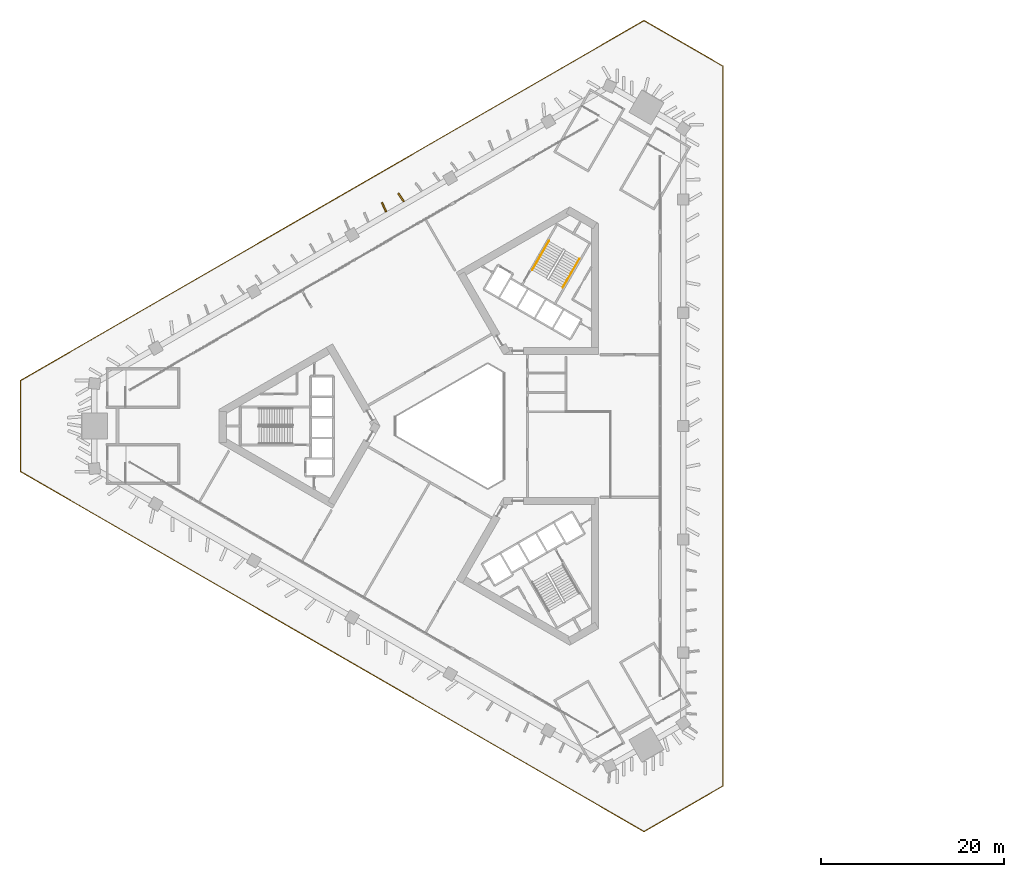
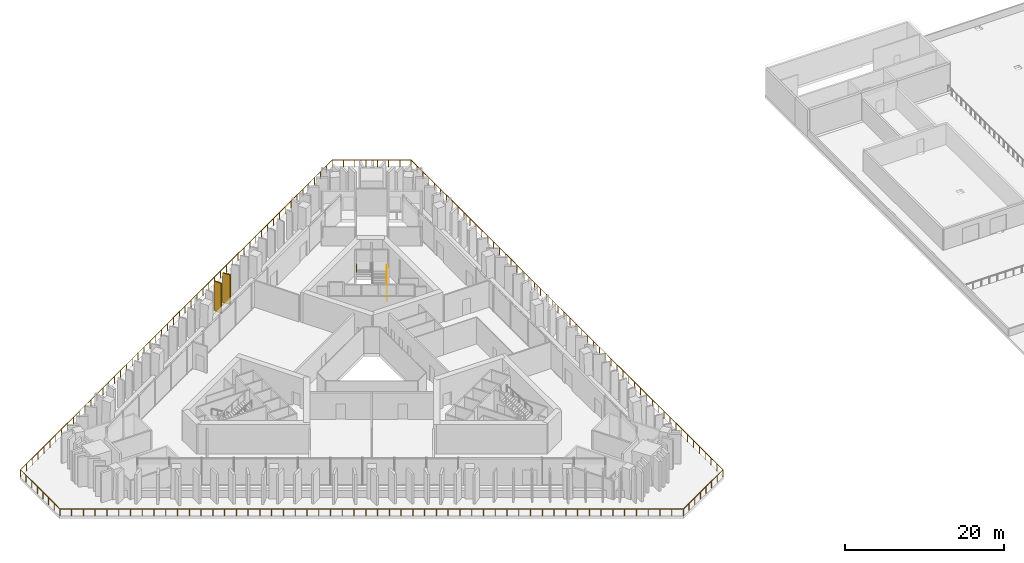
# One storey, part 29 of 31: 3 railings, 2 shading devices.
"""IFC4 building model written with IfcOpenShell, lengths in metres."""

from ifc_helpers import new_model, si_unit, direction, frame, frame_2d, origin, origin_2d, place, context, subcontext, project, spatial, rectangle, circle, extrude, material, layer, layer_set, type_object, element, save


model = new_model("IFC4")

# Units and contexts
model_context = context("Model", 3, precision=1e-05, world=origin(), true_north=direction((0.0, 1.0)))
body_context = subcontext(model_context, "Body", "Model", "MODEL_VIEW")
ifc_project = project(units=[si_unit("LENGTHUNIT", "METRE"), si_unit("AREAUNIT", "SQUARE_METRE"), si_unit("VOLUMEUNIT", "CUBIC_METRE"), si_unit("PLANEANGLEUNIT", "RADIAN"), si_unit("MASSUNIT", "GRAM", prefix="KILO")], contexts=[model_context])

# Site, building, storey
site_placement = place(None, origin())
site = spatial("IfcSite", under=ifc_project, at=site_placement, CompositionType="ELEMENT")
building_placement = place(site_placement, origin())
building = spatial("IfcBuilding", under=site, at=building_placement, Name="Jabali Bay Hotel Tower and Convention Centre", CompositionType="ELEMENT")
storey_placement = place(building_placement, frame((0.0, 0.0, 25.39990234375)))
storey = spatial("IfcBuildingStorey", under=building, at=storey_placement, Name="L04", CompositionType="ELEMENT", Elevation=25.39990234375)

# Railing
ifc_material_1 = material(Name="Steel Q355B", Category="steel")
railing_type_1 = type_object("IfcRailingType", Name="Open-edge guard 1100", PredefinedType="GUARDRAIL", material=ifc_material_1)
railing_1_placement = place(storey_placement, frame((103.449951171875, 40.66552734375, 0.0)))
element("IfcRailing", 1, at=railing_1_placement, inside=storey, type_object=railing_type_1, Name="Terrace guard", PredefinedType="GUARDRAIL", context=body_context, shape_type="SweptSolid", body=[
    extrude(circle(Radius=0.02490234375, at=origin_2d()), frame((0.0, 0.0, 1.0751953125), z_axis=(0.0, 1.0, 0.0), x_axis=(-1.0, 0.0, 0.0)), (0.0, 0.0, 1.0), 78.6689453125),
    extrude(circle(Radius=0.02490234375, at=origin_2d()), frame((0.0, 78.6689453125, 1.0751953125), z_axis=(-0.866019150857, 0.500010830231, 0.0), x_axis=(-0.500010830231, -0.866019150857, 0.0)), (0.0, 0.0, 1.0), 9.942138671875),
    extrude(circle(Radius=0.02490234375, at=origin_2d()), frame((-8.610107421875, 83.64013671875, 1.0751953125), z_axis=(-0.866026463734, -0.499998164109, 0.0), x_axis=(0.499998164109, -0.866026463734, 0.0)), (0.0, 0.0, 1.0), 78.669189453125),
    extrude(circle(Radius=0.02490234375, at=origin_2d()), frame((-76.73974609375, 44.3056640625, 1.0751953125), z_axis=(0.0, -1.0, 0.0), x_axis=(1.0, 0.0, 0.0)), (0.0, 0.0, 1.0), 9.9423828125),
    extrude(circle(Radius=0.02490234375, at=origin_2d()), frame((-76.73974609375, 34.36328125, 1.0751953125), z_axis=(0.866026463734, -0.499998164109, 0.0), x_axis=(0.499998164109, 0.866026463734, 0.0)), (0.0, 0.0, 1.0), 78.669189453125),
    extrude(circle(Radius=0.02490234375, at=origin_2d()), frame((-8.610107421875, -4.97119140625, 1.0751953125), z_axis=(0.866019150857, 0.500010830231, 0.0), x_axis=(-0.500010830231, 0.866019150857, 0.0)), (0.0, 0.0, 1.0), 9.942138671875),
    extrude(circle(Radius=0.02490234375, at=origin_2d()), origin(), (0.0, 0.0, 1.0), 1.050048828125),
    extrude(circle(Radius=0.02490234375, at=origin_2d()), frame((0.0, 1.484375, 0.0)), (0.0, 0.0, 1.0), 1.050048828125),
    extrude(circle(Radius=0.02490234375, at=origin_2d()), frame((0.0, 2.96875, 0.0)), (0.0, 0.0, 1.0), 1.050048828125),
    extrude(circle(Radius=0.02490234375, at=origin_2d()), frame((0.0, 4.452880859375, 0.0)), (0.0, 0.0, 1.0), 1.050048828125),
    extrude(circle(Radius=0.02490234375, at=origin_2d()), frame((0.0, 5.937255859375, 0.0)), (0.0, 0.0, 1.0), 1.050048828125),
    extrude(circle(Radius=0.02490234375, at=origin_2d()), frame((0.0, 7.421630859375, 0.0)), (0.0, 0.0, 1.0), 1.050048828125),
    extrude(circle(Radius=0.02490234375, at=origin_2d()), frame((0.0, 8.906005859375, 0.0)), (0.0, 0.0, 1.0), 1.050048828125),
    extrude(circle(Radius=0.02490234375, at=origin_2d()), frame((0.0, 10.39013671875, 0.0)), (0.0, 0.0, 1.0), 1.050048828125),
    extrude(circle(Radius=0.02490234375, at=origin_2d()), frame((0.0, 11.87451171875, 0.0)), (0.0, 0.0, 1.0), 1.050048828125),
    extrude(circle(Radius=0.02490234375, at=origin_2d()), frame((0.0, 13.35888671875, 0.0)), (0.0, 0.0, 1.0), 1.050048828125),
    extrude(circle(Radius=0.02490234375, at=origin_2d()), frame((0.0, 14.84326171875, 0.0)), (0.0, 0.0, 1.0), 1.050048828125),
    extrude(circle(Radius=0.02490234375, at=origin_2d()), frame((0.0, 16.32763671875, 0.0)), (0.0, 0.0, 1.0), 1.050048828125),
    extrude(circle(Radius=0.02490234375, at=origin_2d()), frame((0.0, 17.811767578125, 0.0)), (0.0, 0.0, 1.0), 1.050048828125),
    extrude(circle(Radius=0.02490234375, at=origin_2d()), frame((0.0, 19.296142578125, 0.0)), (0.0, 0.0, 1.0), 1.050048828125),
    extrude(circle(Radius=0.02490234375, at=origin_2d()), frame((0.0, 20.780517578125, 0.0)), (0.0, 0.0, 1.0), 1.050048828125),
    extrude(circle(Radius=0.02490234375, at=origin_2d()), frame((0.0, 22.264892578125, 0.0)), (0.0, 0.0, 1.0), 1.050048828125),
    extrude(circle(Radius=0.02490234375, at=origin_2d()), frame((0.0, 23.7490234375, 0.0)), (0.0, 0.0, 1.0), 1.050048828125),
    extrude(circle(Radius=0.02490234375, at=origin_2d()), frame((0.0, 25.2333984375, 0.0)), (0.0, 0.0, 1.0), 1.050048828125),
    extrude(circle(Radius=0.02490234375, at=origin_2d()), frame((0.0, 26.7177734375, 0.0)), (0.0, 0.0, 1.0), 1.050048828125),
    extrude(circle(Radius=0.02490234375, at=origin_2d()), frame((0.0, 28.2021484375, 0.0)), (0.0, 0.0, 1.0), 1.050048828125),
    extrude(circle(Radius=0.02490234375, at=origin_2d()), frame((0.0, 29.686279296875, 0.0)), (0.0, 0.0, 1.0), 1.050048828125),
    extrude(circle(Radius=0.02490234375, at=origin_2d()), frame((0.0, 31.170654296875, 0.0)), (0.0, 0.0, 1.0), 1.050048828125),
    extrude(circle(Radius=0.02490234375, at=origin_2d()), frame((0.0, 32.655029296875, 0.0)), (0.0, 0.0, 1.0), 1.050048828125),
    extrude(circle(Radius=0.02490234375, at=origin_2d()), frame((0.0, 34.139404296875, 0.0)), (0.0, 0.0, 1.0), 1.050048828125),
    extrude(circle(Radius=0.02490234375, at=origin_2d()), frame((0.0, 35.623779296875, 0.0)), (0.0, 0.0, 1.0), 1.050048828125),
    extrude(circle(Radius=0.02490234375, at=origin_2d()), frame((0.0, 37.10791015625, 0.0)), (0.0, 0.0, 1.0), 1.050048828125),
    extrude(circle(Radius=0.02490234375, at=origin_2d()), frame((0.0, 38.59228515625, 0.0)), (0.0, 0.0, 1.0), 1.050048828125),
    extrude(circle(Radius=0.02490234375, at=origin_2d()), frame((0.0, 40.07666015625, 0.0)), (0.0, 0.0, 1.0), 1.050048828125),
    extrude(circle(Radius=0.02490234375, at=origin_2d()), frame((0.0, 41.56103515625, 0.0)), (0.0, 0.0, 1.0), 1.050048828125),
    extrude(circle(Radius=0.02490234375, at=origin_2d()), frame((0.0, 43.045166015625, 0.0)), (0.0, 0.0, 1.0), 1.050048828125),
    extrude(circle(Radius=0.02490234375, at=origin_2d()), frame((0.0, 44.529541015625, 0.0)), (0.0, 0.0, 1.0), 1.050048828125),
    extrude(circle(Radius=0.02490234375, at=origin_2d()), frame((0.0, 46.013916015625, 0.0)), (0.0, 0.0, 1.0), 1.050048828125),
    extrude(circle(Radius=0.02490234375, at=origin_2d()), frame((0.0, 47.498291015625, 0.0)), (0.0, 0.0, 1.0), 1.050048828125),
    extrude(circle(Radius=0.02490234375, at=origin_2d()), frame((0.0, 48.982666015625, 0.0)), (0.0, 0.0, 1.0), 1.050048828125),
    extrude(circle(Radius=0.02490234375, at=origin_2d()), frame((0.0, 50.466796875, 0.0)), (0.0, 0.0, 1.0), 1.050048828125),
    extrude(circle(Radius=0.02490234375, at=origin_2d()), frame((0.0, 51.951171875, 0.0)), (0.0, 0.0, 1.0), 1.050048828125),
    extrude(circle(Radius=0.02490234375, at=origin_2d()), frame((0.0, 53.435546875, 0.0)), (0.0, 0.0, 1.0), 1.050048828125),
    extrude(circle(Radius=0.02490234375, at=origin_2d()), frame((0.0, 54.919921875, 0.0)), (0.0, 0.0, 1.0), 1.050048828125),
    extrude(circle(Radius=0.02490234375, at=origin_2d()), frame((0.0, 56.404052734375, 0.0)), (0.0, 0.0, 1.0), 1.050048828125),
    extrude(circle(Radius=0.02490234375, at=origin_2d()), frame((0.0, 57.888427734375, 0.0)), (0.0, 0.0, 1.0), 1.050048828125),
    extrude(circle(Radius=0.02490234375, at=origin_2d()), frame((0.0, 59.372802734375, 0.0)), (0.0, 0.0, 1.0), 1.050048828125),
    extrude(circle(Radius=0.02490234375, at=origin_2d()), frame((0.0, 60.857177734375, 0.0)), (0.0, 0.0, 1.0), 1.050048828125),
    extrude(circle(Radius=0.02490234375, at=origin_2d()), frame((0.0, 62.34130859375, 0.0)), (0.0, 0.0, 1.0), 1.050048828125),
    extrude(circle(Radius=0.02490234375, at=origin_2d()), frame((0.0, 63.82568359375, 0.0)), (0.0, 0.0, 1.0), 1.050048828125),
    extrude(circle(Radius=0.02490234375, at=origin_2d()), frame((0.0, 65.31005859375, 0.0)), (0.0, 0.0, 1.0), 1.050048828125),
    extrude(circle(Radius=0.02490234375, at=origin_2d()), frame((0.0, 66.79443359375, 0.0)), (0.0, 0.0, 1.0), 1.050048828125),
    extrude(circle(Radius=0.02490234375, at=origin_2d()), frame((0.0, 68.27880859375, 0.0)), (0.0, 0.0, 1.0), 1.050048828125),
    extrude(circle(Radius=0.02490234375, at=origin_2d()), frame((0.0, 69.762939453125, 0.0)), (0.0, 0.0, 1.0), 1.050048828125),
    extrude(circle(Radius=0.02490234375, at=origin_2d()), frame((0.0, 71.247314453125, 0.0)), (0.0, 0.0, 1.0), 1.050048828125),
    extrude(circle(Radius=0.02490234375, at=origin_2d()), frame((0.0, 72.731689453125, 0.0)), (0.0, 0.0, 1.0), 1.050048828125),
    extrude(circle(Radius=0.02490234375, at=origin_2d()), frame((0.0, 74.216064453125, 0.0)), (0.0, 0.0, 1.0), 1.050048828125),
    extrude(circle(Radius=0.02490234375, at=origin_2d()), frame((0.0, 75.7001953125, 0.0)), (0.0, 0.0, 1.0), 1.050048828125),
    extrude(circle(Radius=0.02490234375, at=origin_2d()), frame((0.0, 77.1845703125, 0.0)), (0.0, 0.0, 1.0), 1.050048828125),
    extrude(circle(Radius=0.02490234375, at=origin_2d()), frame((0.0, 78.6689453125, 0.0)), (0.0, 0.0, 1.0), 1.050048828125),
    extrude(circle(Radius=0.02490234375, at=origin_2d()), frame((-1.22998046875, 79.379150390625, 0.0)), (0.0, 0.0, 1.0), 1.050048828125),
    extrude(circle(Radius=0.02490234375, at=origin_2d()), frame((-2.4599609375, 80.08935546875, 0.0)), (0.0, 0.0, 1.0), 1.050048828125),
    extrude(circle(Radius=0.02490234375, at=origin_2d()), frame((-3.68994140625, 80.799560546875, 0.0)), (0.0, 0.0, 1.0), 1.050048828125),
    extrude(circle(Radius=0.02490234375, at=origin_2d()), frame((-4.920166015625, 81.509521484375, 0.0)), (0.0, 0.0, 1.0), 1.050048828125),
    extrude(circle(Radius=0.02490234375, at=origin_2d()), frame((-6.150146484375, 82.2197265625, 0.0)), (0.0, 0.0, 1.0), 1.050048828125),
    extrude(circle(Radius=0.02490234375, at=origin_2d()), frame((-7.380126953125, 82.929931640625, 0.0)), (0.0, 0.0, 1.0), 1.050048828125),
    extrude(circle(Radius=0.02490234375, at=origin_2d()), frame((-8.610107421875, 83.64013671875, 0.0)), (0.0, 0.0, 1.0), 1.050048828125),
    extrude(circle(Radius=0.02490234375, at=origin_2d()), frame((-9.8955078125, 82.89794921875, 0.0)), (0.0, 0.0, 1.0), 1.050048828125),
    extrude(circle(Radius=0.02490234375, at=origin_2d()), frame((-11.18115234375, 82.15576171875, 0.0)), (0.0, 0.0, 1.0), 1.050048828125),
    extrude(circle(Radius=0.02490234375, at=origin_2d()), frame((-12.466552734375, 81.41357421875, 0.0)), (0.0, 0.0, 1.0), 1.050048828125),
    extrude(circle(Radius=0.02490234375, at=origin_2d()), frame((-13.751953125, 80.67138671875, 0.0)), (0.0, 0.0, 1.0), 1.050048828125),
    extrude(circle(Radius=0.02490234375, at=origin_2d()), frame((-15.037353515625, 79.929443359375, 0.0)), (0.0, 0.0, 1.0), 1.050048828125),
    extrude(circle(Radius=0.02490234375, at=origin_2d()), frame((-16.322998046875, 79.187255859375, 0.0)), (0.0, 0.0, 1.0), 1.050048828125),
    extrude(circle(Radius=0.02490234375, at=origin_2d()), frame((-17.6083984375, 78.445068359375, 0.0)), (0.0, 0.0, 1.0), 1.050048828125),
    extrude(circle(Radius=0.02490234375, at=origin_2d()), frame((-18.893798828125, 77.702880859375, 0.0)), (0.0, 0.0, 1.0), 1.050048828125),
    extrude(circle(Radius=0.02490234375, at=origin_2d()), frame((-20.17919921875, 76.960693359375, 0.0)), (0.0, 0.0, 1.0), 1.050048828125),
    extrude(circle(Radius=0.02490234375, at=origin_2d()), frame((-21.46484375, 76.218505859375, 0.0)), (0.0, 0.0, 1.0), 1.050048828125),
    extrude(circle(Radius=0.02490234375, at=origin_2d()), frame((-22.750244140625, 75.476318359375, 0.0)), (0.0, 0.0, 1.0), 1.050048828125),
    extrude(circle(Radius=0.02490234375, at=origin_2d()), frame((-24.03564453125, 74.734130859375, 0.0)), (0.0, 0.0, 1.0), 1.050048828125),
    extrude(circle(Radius=0.02490234375, at=origin_2d()), frame((-25.321044921875, 73.991943359375, 0.0)), (0.0, 0.0, 1.0), 1.050048828125),
    extrude(circle(Radius=0.02490234375, at=origin_2d()), frame((-26.606689453125, 73.25, 0.0)), (0.0, 0.0, 1.0), 1.050048828125),
    extrude(circle(Radius=0.02490234375, at=origin_2d()), frame((-27.89208984375, 72.5078125, 0.0)), (0.0, 0.0, 1.0), 1.050048828125),
    extrude(circle(Radius=0.02490234375, at=origin_2d()), frame((-29.177490234375, 71.765625, 0.0)), (0.0, 0.0, 1.0), 1.050048828125),
    extrude(circle(Radius=0.02490234375, at=origin_2d()), frame((-30.462890625, 71.0234375, 0.0)), (0.0, 0.0, 1.0), 1.050048828125),
    extrude(circle(Radius=0.02490234375, at=origin_2d()), frame((-31.74853515625, 70.28125, 0.0)), (0.0, 0.0, 1.0), 1.050048828125),
    extrude(circle(Radius=0.02490234375, at=origin_2d()), frame((-33.033935546875, 69.5390625, 0.0)), (0.0, 0.0, 1.0), 1.050048828125),
    extrude(circle(Radius=0.02490234375, at=origin_2d()), frame((-34.3193359375, 68.796875, 0.0)), (0.0, 0.0, 1.0), 1.050048828125),
    extrude(circle(Radius=0.02490234375, at=origin_2d()), frame((-35.60498046875, 68.0546875, 0.0)), (0.0, 0.0, 1.0), 1.050048828125),
    extrude(circle(Radius=0.02490234375, at=origin_2d()), frame((-36.890380859375, 67.3125, 0.0)), (0.0, 0.0, 1.0), 1.050048828125),
    extrude(circle(Radius=0.02490234375, at=origin_2d()), frame((-38.17578125, 66.570556640625, 0.0)), (0.0, 0.0, 1.0), 1.050048828125),
    extrude(circle(Radius=0.02490234375, at=origin_2d()), frame((-39.461181640625, 65.828369140625, 0.0)), (0.0, 0.0, 1.0), 1.050048828125),
    extrude(circle(Radius=0.02490234375, at=origin_2d()), frame((-40.746826171875, 65.086181640625, 0.0)), (0.0, 0.0, 1.0), 1.050048828125),
    extrude(circle(Radius=0.02490234375, at=origin_2d()), frame((-42.0322265625, 64.343994140625, 0.0)), (0.0, 0.0, 1.0), 1.050048828125),
    extrude(circle(Radius=0.02490234375, at=origin_2d()), frame((-43.317626953125, 63.601806640625, 0.0)), (0.0, 0.0, 1.0), 1.050048828125),
    extrude(circle(Radius=0.02490234375, at=origin_2d()), frame((-44.60302734375, 62.859619140625, 0.0)), (0.0, 0.0, 1.0), 1.050048828125),
    extrude(circle(Radius=0.02490234375, at=origin_2d()), frame((-45.888671875, 62.117431640625, 0.0)), (0.0, 0.0, 1.0), 1.050048828125),
    extrude(circle(Radius=0.02490234375, at=origin_2d()), frame((-47.174072265625, 61.375244140625, 0.0)), (0.0, 0.0, 1.0), 1.050048828125),
    extrude(circle(Radius=0.02490234375, at=origin_2d()), frame((-48.45947265625, 60.63330078125, 0.0)), (0.0, 0.0, 1.0), 1.050048828125),
    extrude(circle(Radius=0.02490234375, at=origin_2d()), frame((-49.744873046875, 59.89111328125, 0.0)), (0.0, 0.0, 1.0), 1.050048828125),
    extrude(circle(Radius=0.02490234375, at=origin_2d()), frame((-51.030517578125, 59.14892578125, 0.0)), (0.0, 0.0, 1.0), 1.050048828125),
    extrude(circle(Radius=0.02490234375, at=origin_2d()), frame((-52.31591796875, 58.40673828125, 0.0)), (0.0, 0.0, 1.0), 1.050048828125),
    extrude(circle(Radius=0.02490234375, at=origin_2d()), frame((-53.601318359375, 57.66455078125, 0.0)), (0.0, 0.0, 1.0), 1.050048828125),
    extrude(circle(Radius=0.02490234375, at=origin_2d()), frame((-54.886962890625, 56.92236328125, 0.0)), (0.0, 0.0, 1.0), 1.050048828125),
    extrude(circle(Radius=0.02490234375, at=origin_2d()), frame((-56.17236328125, 56.18017578125, 0.0)), (0.0, 0.0, 1.0), 1.050048828125),
    extrude(circle(Radius=0.02490234375, at=origin_2d()), frame((-57.457763671875, 55.43798828125, 0.0)), (0.0, 0.0, 1.0), 1.050048828125),
    extrude(circle(Radius=0.02490234375, at=origin_2d()), frame((-58.7431640625, 54.69580078125, 0.0)), (0.0, 0.0, 1.0), 1.050048828125),
    extrude(circle(Radius=0.02490234375, at=origin_2d()), frame((-60.02880859375, 53.953857421875, 0.0)), (0.0, 0.0, 1.0), 1.050048828125),
    extrude(circle(Radius=0.02490234375, at=origin_2d()), frame((-61.314208984375, 53.211669921875, 0.0)), (0.0, 0.0, 1.0), 1.050048828125),
    extrude(circle(Radius=0.02490234375, at=origin_2d()), frame((-62.599609375, 52.469482421875, 0.0)), (0.0, 0.0, 1.0), 1.050048828125),
    extrude(circle(Radius=0.02490234375, at=origin_2d()), frame((-63.885009765625, 51.727294921875, 0.0)), (0.0, 0.0, 1.0), 1.050048828125),
    extrude(circle(Radius=0.02490234375, at=origin_2d()), frame((-65.170654296875, 50.985107421875, 0.0)), (0.0, 0.0, 1.0), 1.050048828125),
    extrude(circle(Radius=0.02490234375, at=origin_2d()), frame((-66.4560546875, 50.242919921875, 0.0)), (0.0, 0.0, 1.0), 1.050048828125),
    extrude(circle(Radius=0.02490234375, at=origin_2d()), frame((-67.741455078125, 49.500732421875, 0.0)), (0.0, 0.0, 1.0), 1.050048828125),
    extrude(circle(Radius=0.02490234375, at=origin_2d()), frame((-69.02685546875, 48.758544921875, 0.0)), (0.0, 0.0, 1.0), 1.050048828125),
    extrude(circle(Radius=0.02490234375, at=origin_2d()), frame((-70.3125, 48.016357421875, 0.0)), (0.0, 0.0, 1.0), 1.050048828125),
    extrude(circle(Radius=0.02490234375, at=origin_2d()), frame((-71.597900390625, 47.2744140625, 0.0)), (0.0, 0.0, 1.0), 1.050048828125),
    extrude(circle(Radius=0.02490234375, at=origin_2d()), frame((-72.88330078125, 46.5322265625, 0.0)), (0.0, 0.0, 1.0), 1.050048828125),
    extrude(circle(Radius=0.02490234375, at=origin_2d()), frame((-74.168701171875, 45.7900390625, 0.0)), (0.0, 0.0, 1.0), 1.050048828125),
    extrude(circle(Radius=0.02490234375, at=origin_2d()), frame((-75.454345703125, 45.0478515625, 0.0)), (0.0, 0.0, 1.0), 1.050048828125),
    extrude(circle(Radius=0.02490234375, at=origin_2d()), frame((-76.73974609375, 44.3056640625, 0.0)), (0.0, 0.0, 1.0), 1.050048828125),
    extrude(circle(Radius=0.02490234375, at=origin_2d()), frame((-76.73974609375, 42.88525390625, 0.0)), (0.0, 0.0, 1.0), 1.050048828125),
    extrude(circle(Radius=0.02490234375, at=origin_2d()), frame((-76.73974609375, 41.465087890625, 0.0)), (0.0, 0.0, 1.0), 1.050048828125),
    extrude(circle(Radius=0.02490234375, at=origin_2d()), frame((-76.73974609375, 40.044677734375, 0.0)), (0.0, 0.0, 1.0), 1.050048828125),
    extrude(circle(Radius=0.02490234375, at=origin_2d()), frame((-76.73974609375, 38.624267578125, 0.0)), (0.0, 0.0, 1.0), 1.050048828125),
    extrude(circle(Radius=0.02490234375, at=origin_2d()), frame((-76.73974609375, 37.203857421875, 0.0)), (0.0, 0.0, 1.0), 1.050048828125),
    extrude(circle(Radius=0.02490234375, at=origin_2d()), frame((-76.73974609375, 35.78369140625, 0.0)), (0.0, 0.0, 1.0), 1.050048828125),
    extrude(circle(Radius=0.02490234375, at=origin_2d()), frame((-76.73974609375, 34.36328125, 0.0)), (0.0, 0.0, 1.0), 1.050048828125),
    extrude(circle(Radius=0.02490234375, at=origin_2d()), frame((-75.454345703125, 33.62109375, 0.0)), (0.0, 0.0, 1.0), 1.050048828125),
    extrude(circle(Radius=0.02490234375, at=origin_2d()), frame((-74.168701171875, 32.87890625, 0.0)), (0.0, 0.0, 1.0), 1.050048828125),
    extrude(circle(Radius=0.02490234375, at=origin_2d()), frame((-72.88330078125, 32.13671875, 0.0)), (0.0, 0.0, 1.0), 1.050048828125),
    extrude(circle(Radius=0.02490234375, at=origin_2d()), frame((-71.597900390625, 31.39453125, 0.0)), (0.0, 0.0, 1.0), 1.050048828125),
    extrude(circle(Radius=0.02490234375, at=origin_2d()), frame((-70.3125, 30.652587890625, 0.0)), (0.0, 0.0, 1.0), 1.050048828125),
    extrude(circle(Radius=0.02490234375, at=origin_2d()), frame((-69.02685546875, 29.910400390625, 0.0)), (0.0, 0.0, 1.0), 1.050048828125),
    extrude(circle(Radius=0.02490234375, at=origin_2d()), frame((-67.741455078125, 29.168212890625, 0.0)), (0.0, 0.0, 1.0), 1.050048828125),
    extrude(circle(Radius=0.02490234375, at=origin_2d()), frame((-66.4560546875, 28.426025390625, 0.0)), (0.0, 0.0, 1.0), 1.050048828125),
    extrude(circle(Radius=0.02490234375, at=origin_2d()), frame((-65.170654296875, 27.683837890625, 0.0)), (0.0, 0.0, 1.0), 1.050048828125),
    extrude(circle(Radius=0.02490234375, at=origin_2d()), frame((-63.885009765625, 26.941650390625, 0.0)), (0.0, 0.0, 1.0), 1.050048828125),
    extrude(circle(Radius=0.02490234375, at=origin_2d()), frame((-62.599609375, 26.199462890625, 0.0)), (0.0, 0.0, 1.0), 1.050048828125),
    extrude(circle(Radius=0.02490234375, at=origin_2d()), frame((-61.314208984375, 25.457275390625, 0.0)), (0.0, 0.0, 1.0), 1.050048828125),
    extrude(circle(Radius=0.02490234375, at=origin_2d()), frame((-60.02880859375, 24.715087890625, 0.0)), (0.0, 0.0, 1.0), 1.050048828125),
    extrude(circle(Radius=0.02490234375, at=origin_2d()), frame((-58.7431640625, 23.97314453125, 0.0)), (0.0, 0.0, 1.0), 1.050048828125),
    extrude(circle(Radius=0.02490234375, at=origin_2d()), frame((-57.457763671875, 23.23095703125, 0.0)), (0.0, 0.0, 1.0), 1.050048828125),
    extrude(circle(Radius=0.02490234375, at=origin_2d()), frame((-56.17236328125, 22.48876953125, 0.0)), (0.0, 0.0, 1.0), 1.050048828125),
    extrude(circle(Radius=0.02490234375, at=origin_2d()), frame((-54.886962890625, 21.74658203125, 0.0)), (0.0, 0.0, 1.0), 1.050048828125),
    extrude(circle(Radius=0.02490234375, at=origin_2d()), frame((-53.601318359375, 21.00439453125, 0.0)), (0.0, 0.0, 1.0), 1.050048828125),
    extrude(circle(Radius=0.02490234375, at=origin_2d()), frame((-52.31591796875, 20.26220703125, 0.0)), (0.0, 0.0, 1.0), 1.050048828125),
    extrude(circle(Radius=0.02490234375, at=origin_2d()), frame((-51.030517578125, 19.52001953125, 0.0)), (0.0, 0.0, 1.0), 1.050048828125),
    extrude(circle(Radius=0.02490234375, at=origin_2d()), frame((-49.744873046875, 18.77783203125, 0.0)), (0.0, 0.0, 1.0), 1.050048828125),
    extrude(circle(Radius=0.02490234375, at=origin_2d()), frame((-48.45947265625, 18.03564453125, 0.0)), (0.0, 0.0, 1.0), 1.050048828125),
    extrude(circle(Radius=0.02490234375, at=origin_2d()), frame((-47.174072265625, 17.293701171875, 0.0)), (0.0, 0.0, 1.0), 1.050048828125),
    extrude(circle(Radius=0.02490234375, at=origin_2d()), frame((-45.888671875, 16.551513671875, 0.0)), (0.0, 0.0, 1.0), 1.050048828125),
    extrude(circle(Radius=0.02490234375, at=origin_2d()), frame((-44.60302734375, 15.809326171875, 0.0)), (0.0, 0.0, 1.0), 1.050048828125),
    extrude(circle(Radius=0.02490234375, at=origin_2d()), frame((-43.317626953125, 15.067138671875, 0.0)), (0.0, 0.0, 1.0), 1.050048828125),
    extrude(circle(Radius=0.02490234375, at=origin_2d()), frame((-42.0322265625, 14.324951171875, 0.0)), (0.0, 0.0, 1.0), 1.050048828125),
    extrude(circle(Radius=0.02490234375, at=origin_2d()), frame((-40.746826171875, 13.582763671875, 0.0)), (0.0, 0.0, 1.0), 1.050048828125),
    extrude(circle(Radius=0.02490234375, at=origin_2d()), frame((-39.461181640625, 12.840576171875, 0.0)), (0.0, 0.0, 1.0), 1.050048828125),
    extrude(circle(Radius=0.02490234375, at=origin_2d()), frame((-38.17578125, 12.098388671875, 0.0)), (0.0, 0.0, 1.0), 1.050048828125),
    extrude(circle(Radius=0.02490234375, at=origin_2d()), frame((-36.890380859375, 11.3564453125, 0.0)), (0.0, 0.0, 1.0), 1.050048828125),
    extrude(circle(Radius=0.02490234375, at=origin_2d()), frame((-35.60498046875, 10.6142578125, 0.0)), (0.0, 0.0, 1.0), 1.050048828125),
    extrude(circle(Radius=0.02490234375, at=origin_2d()), frame((-34.3193359375, 9.8720703125, 0.0)), (0.0, 0.0, 1.0), 1.050048828125),
    extrude(circle(Radius=0.02490234375, at=origin_2d()), frame((-33.033935546875, 9.1298828125, 0.0)), (0.0, 0.0, 1.0), 1.050048828125),
    extrude(circle(Radius=0.02490234375, at=origin_2d()), frame((-31.74853515625, 8.3876953125, 0.0)), (0.0, 0.0, 1.0), 1.050048828125),
    extrude(circle(Radius=0.02490234375, at=origin_2d()), frame((-30.462890625, 7.6455078125, 0.0)), (0.0, 0.0, 1.0), 1.050048828125),
    extrude(circle(Radius=0.02490234375, at=origin_2d()), frame((-29.177490234375, 6.9033203125, 0.0)), (0.0, 0.0, 1.0), 1.050048828125),
    extrude(circle(Radius=0.02490234375, at=origin_2d()), frame((-27.89208984375, 6.1611328125, 0.0)), (0.0, 0.0, 1.0), 1.050048828125),
    extrude(circle(Radius=0.02490234375, at=origin_2d()), frame((-26.606689453125, 5.4189453125, 0.0)), (0.0, 0.0, 1.0), 1.050048828125),
    extrude(circle(Radius=0.02490234375, at=origin_2d()), frame((-25.321044921875, 4.677001953125, 0.0)), (0.0, 0.0, 1.0), 1.050048828125),
    extrude(circle(Radius=0.02490234375, at=origin_2d()), frame((-24.03564453125, 3.934814453125, 0.0)), (0.0, 0.0, 1.0), 1.050048828125),
    extrude(circle(Radius=0.02490234375, at=origin_2d()), frame((-22.750244140625, 3.192626953125, 0.0)), (0.0, 0.0, 1.0), 1.050048828125),
    extrude(circle(Radius=0.02490234375, at=origin_2d()), frame((-21.46484375, 2.450439453125, 0.0)), (0.0, 0.0, 1.0), 1.050048828125),
    extrude(circle(Radius=0.02490234375, at=origin_2d()), frame((-20.17919921875, 1.708251953125, 0.0)), (0.0, 0.0, 1.0), 1.050048828125),
    extrude(circle(Radius=0.02490234375, at=origin_2d()), frame((-18.893798828125, 0.966064453125, 0.0)), (0.0, 0.0, 1.0), 1.050048828125),
    extrude(circle(Radius=0.02490234375, at=origin_2d()), frame((-17.6083984375, 0.223876953125, 0.0)), (0.0, 0.0, 1.0), 1.050048828125),
    extrude(circle(Radius=0.02490234375, at=origin_2d()), frame((-16.322998046875, -0.518310546875, 0.0)), (0.0, 0.0, 1.0), 1.050048828125),
    extrude(circle(Radius=0.02490234375, at=origin_2d()), frame((-15.037353515625, -1.260498046875, 0.0)), (0.0, 0.0, 1.0), 1.050048828125),
    extrude(circle(Radius=0.02490234375, at=origin_2d()), frame((-13.751953125, -2.00244140625, 0.0)), (0.0, 0.0, 1.0), 1.050048828125),
    extrude(circle(Radius=0.02490234375, at=origin_2d()), frame((-12.466552734375, -2.74462890625, 0.0)), (0.0, 0.0, 1.0), 1.050048828125),
    extrude(circle(Radius=0.02490234375, at=origin_2d()), frame((-11.18115234375, -3.48681640625, 0.0)), (0.0, 0.0, 1.0), 1.050048828125),
    extrude(circle(Radius=0.02490234375, at=origin_2d()), frame((-9.8955078125, -4.22900390625, 0.0)), (0.0, 0.0, 1.0), 1.050048828125),
    extrude(circle(Radius=0.02490234375, at=origin_2d()), frame((-8.610107421875, -4.97119140625, 0.0)), (0.0, 0.0, 1.0), 1.050048828125),
    extrude(circle(Radius=0.02490234375, at=origin_2d()), frame((-7.380126953125, -4.260986328125, 0.0)), (0.0, 0.0, 1.0), 1.050048828125),
    extrude(circle(Radius=0.02490234375, at=origin_2d()), frame((-6.150146484375, -3.55078125, 0.0)), (0.0, 0.0, 1.0), 1.050048828125),
    extrude(circle(Radius=0.02490234375, at=origin_2d()), frame((-4.920166015625, -2.840576171875, 0.0)), (0.0, 0.0, 1.0), 1.050048828125),
    extrude(circle(Radius=0.02490234375, at=origin_2d()), frame((-3.68994140625, -2.130615234375, 0.0)), (0.0, 0.0, 1.0), 1.050048828125),
    extrude(circle(Radius=0.02490234375, at=origin_2d()), frame((-2.4599609375, -1.42041015625, 0.0)), (0.0, 0.0, 1.0), 1.050048828125),
    extrude(circle(Radius=0.02490234375, at=origin_2d()), frame((-1.22998046875, -0.710205078125, 0.0)), (0.0, 0.0, 1.0), 1.050048828125),
])

# Shading devices
ifc_material_2 = material(Name="Precast concrete C60", Category="concrete")
ifc_layer = layer(ifc_material_2, 0.179931640625)
ifc_layer_set = layer_set([ifc_layer], Name="Precast concrete C60")
shading_device_type = type_object("IfcShadingDeviceType", Name="Precast fin 4580 x 1100", PredefinedType="USERDEFINED", material=ifc_layer_set)
shading_device_1_placement = place(storey_placement, frame((68.60546875, 104.531494140625, 0.010009765625), z_axis=(0.0, 0.0, 1.0), x_axis=(-0.564596395621, 0.825367136523, 0.0)))
element("IfcShadingDevice", 2, at=shading_device_1_placement, inside=storey, type_object=shading_device_type, Name="Fin L04 049", ObjectType="FIN", PredefinedType="USERDEFINED", context=body_context, shape_type="SweptSolid", body=[
    extrude(rectangle(XDim=1.10009765625, YDim=0.179931640625, at=frame_2d((0.550048828125, 0.0))), origin(), (0.0, 0.0, 1.0), 4.580078125),
])
shading_device_2_placement = place(storey_placement, frame((66.662353515625, 103.411865234375, 0.010009765625), z_axis=(0.0, 0.0, 1.0), x_axis=(-0.413786219084, 0.910374079649, 0.0)))
element("IfcShadingDevice", 3, at=shading_device_2_placement, inside=storey, type_object=shading_device_type, Name="Fin L04 050", ObjectType="FIN", PredefinedType="USERDEFINED", context=body_context, shape_type="SweptSolid", body=[
    extrude(rectangle(XDim=1.099853515625, YDim=0.179931640625, at=frame_2d((0.5498046875, 0.0))), origin(), (0.0, 0.0, 1.0), 4.580078125),
])

# Railings
railing_type_2 = type_object("IfcRailingType", Name="Stair handrail 900", PredefinedType="HANDRAIL", material=ifc_material_1)
railing_2_placement = place(storey_placement, frame((85.95703125, 95.128173828125, 0.164306640625)))
element("IfcRailing", 4, at=railing_2_placement, inside=storey, type_object=railing_type_2, Name="L04 ST2 stair handrail 1", PredefinedType="HANDRAIL", context=body_context, shape_type="SweptSolid", body=[
    extrude(circle(Radius=0.02392578125, at=origin_2d()), frame((0.0, 0.0, 0.8759765625), z_axis=(0.431260529703, 0.746939766535, 0.506058633647), x_axis=(-0.866018046521, 0.500012742938, 0.0)), (0.0, 0.0, 1.0), 4.220458984375),
    extrude(circle(Radius=0.02099609375, at=origin_2d()), origin(), (0.0, 0.0, 1.0), 0.851806640625),
    extrude(circle(Radius=0.02099609375, at=origin_2d()), frame((0.455078125, 0.7880859375, 0.533935546875)), (0.0, 0.0, 1.0), 0.851806640625),
    extrude(circle(Radius=0.02099609375, at=origin_2d()), frame((0.91015625, 1.576171875, 1.06787109375)), (0.0, 0.0, 1.0), 0.851806640625),
    extrude(circle(Radius=0.02099609375, at=origin_2d()), frame((1.364990234375, 2.3642578125, 1.601806640625)), (0.0, 0.0, 1.0), 0.851806640625),
    extrude(circle(Radius=0.02099609375, at=origin_2d()), frame((1.820068359375, 3.15234375, 2.1357421875)), (0.0, 0.0, 1.0), 0.851806640625),
])
railing_3_placement = place(storey_placement, frame((84.44287109375, 100.20556640625, 2.46435546875)))
element("IfcRailing", 5, at=railing_3_placement, inside=storey, type_object=railing_type_2, Name="L04 ST2 stair handrail 2", PredefinedType="HANDRAIL", context=body_context, shape_type="SweptSolid", body=[
    extrude(circle(Radius=0.02392578125, at=origin_2d()), frame((0.0, 0.0, 0.8759765625), z_axis=(-0.431260529703, -0.746939766535, 0.506058633647), x_axis=(0.866018046521, -0.500012742938, 0.0)), (0.0, 0.0, 1.0), 4.220458984375),
    extrude(circle(Radius=0.02099609375, at=origin_2d()), origin(), (0.0, 0.0, 1.0), 0.851806640625),
    extrude(circle(Radius=0.02099609375, at=origin_2d()), frame((-0.455078125, -0.7880859375, 0.533935546875)), (0.0, 0.0, 1.0), 0.851806640625),
    extrude(circle(Radius=0.02099609375, at=origin_2d()), frame((-0.91015625, -1.576171875, 1.06787109375)), (0.0, 0.0, 1.0), 0.851806640625),
    extrude(circle(Radius=0.02099609375, at=origin_2d()), frame((-1.364990234375, -2.3642578125, 1.601806640625)), (0.0, 0.0, 1.0), 0.851806640625),
    extrude(circle(Radius=0.02099609375, at=origin_2d()), frame((-1.820068359375, -3.15234375, 2.1357421875)), (0.0, 0.0, 1.0), 0.851806640625),
])

save(model, "model.ifc")
